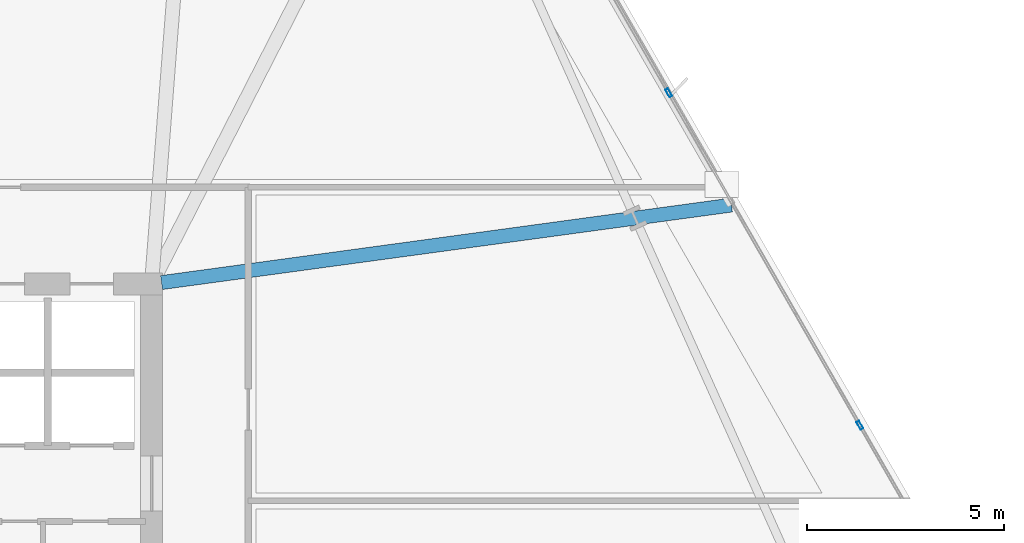
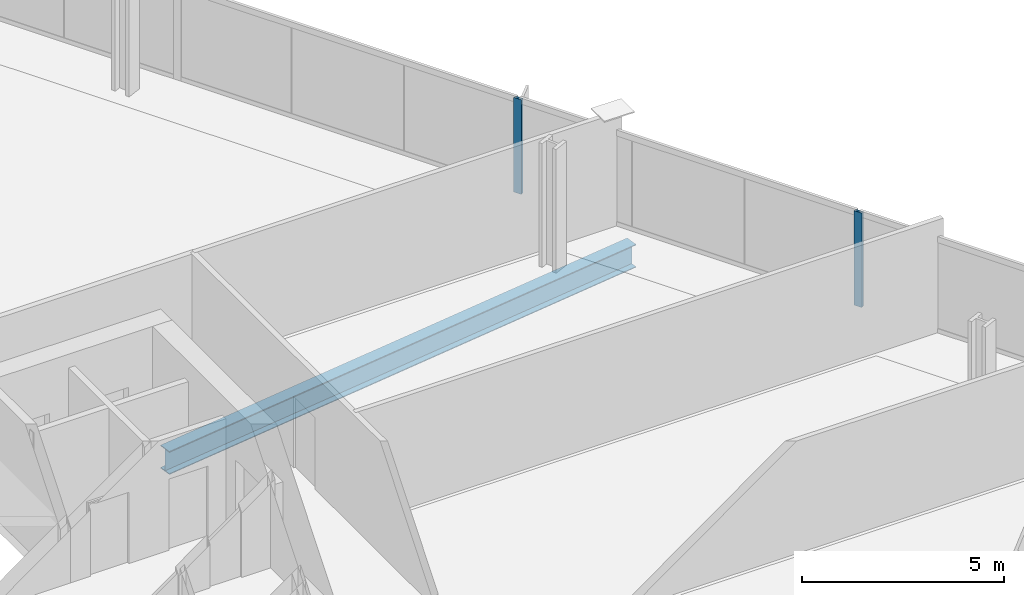
# One storey, part 17 of 33: 2 members, 1 beam, 1 element without a shape of its own.
"""IFC4 building model written with IfcOpenShell, lengths in metres."""

import ifcopenshell
import ifcopenshell.guid

model = None  # the IFC model being written
_history = None  # IfcOwnerHistory: only IFC2X3 demands one
_inside = {}  # id of a spatial element -> (the spatial element, [elements in it])
_under = {}  # id of a project, library or spatial element -> (it, [spatial elements below it])
_declared = {}  # id of a project -> (the project, [libraries it declares])
_typed = {}  # id of a type object -> (the type object, [elements of that type])
_made_of = {}  # id of a material, layer set ... -> (it, [elements and type objects made of it])


def new_model(schema):
    """Start an empty IFC model of exactly this schema.

    Asked for "IFC4X3", IfcOpenShell would pick the latest addendum, in which some entities
    have other attributes; the version numbers below select the first issue.
    IFC2X3 requires an IfcOwnerHistory on every rooted entity: one is made here for all.
    """
    global model, _history
    if schema == "IFC4X3":
        model = ifcopenshell.file(schema_version=(4, 3, 0, 0))
    else:
        model = ifcopenshell.file(schema=schema)
    _inside.clear()
    _under.clear()
    _declared.clear()
    _typed.clear()
    _made_of.clear()
    _history = None
    if model.schema == "IFC2X3":
        org = make("IfcOrganization", Name="unknown")
        user = make(
            "IfcPersonAndOrganization",
            ThePerson=make("IfcPerson", FamilyName="unknown"),
            TheOrganization=org,
        )
        app = make(
            "IfcApplication",
            ApplicationDeveloper=org,
            Version="unknown",
            ApplicationFullName="unknown",
            ApplicationIdentifier="unknown",
        )
        _history = make(
            "IfcOwnerHistory",
            OwningUser=user,
            OwningApplication=app,
            ChangeAction="ADDED",
            CreationDate=0,
        )
    return model


def make(cls, **values):
    """One entity of the class cls with the attributes given. An attribute that is None is left unset."""
    return model.create_entity(
        cls, **{name: value for name, value in values.items() if value is not None}
    )


def rooted(cls, **values):
    """An entity with a GlobalId (a new one), such as an element, a storey or a relation."""
    return make(cls, GlobalId=ifcopenshell.guid.new(), OwnerHistory=_history, **values)


def si_unit(unit_type, name, prefix=None):
    """IfcSIUnit, for example si_unit("LENGTHUNIT", "METRE", prefix="MILLI")."""
    return make("IfcSIUnit", UnitType=unit_type, Prefix=prefix, Name=name)


def assignment(units):
    """IfcUnitAssignment: the units of a project."""
    return None if units is None else make("IfcUnitAssignment", Units=units)


def point(xyz):
    """IfcCartesianPoint."""
    return None if xyz is None else make("IfcCartesianPoint", Coordinates=xyz)


def direction(xyz):
    """IfcDirection."""
    return None if xyz is None else make("IfcDirection", DirectionRatios=xyz)


def frame(location, z_axis=None, x_axis=None):
    """IfcAxis2Placement3D, a coordinate frame: its origin and axes. An axis left out is left unset."""
    return make(
        "IfcAxis2Placement3D",
        Location=point(location),
        Axis=direction(z_axis),
        RefDirection=direction(x_axis),
    )


def frame_2d(location, x_axis=None):
    """IfcAxis2Placement2D, a coordinate frame in the plane: its origin and x axis."""
    return make(
        "IfcAxis2Placement2D", Location=point(location), RefDirection=direction(x_axis)
    )


def origin():
    """The frame at (0, 0, 0) with its axes left unset."""
    return frame((0.0, 0.0, 0.0))


def origin_2d():
    """The frame at (0, 0) in the plane with its x axis left unset."""
    return frame_2d((0.0, 0.0))


def place(relative_to, where):
    """IfcLocalPlacement: puts the frame where relative to a parent placement (None: the world)."""
    return make(
        "IfcLocalPlacement", PlacementRelTo=relative_to, RelativePlacement=where
    )


def context(
    kind, dimensions, precision=None, world=None, true_north=None, identifier=None
):
    """IfcGeometricRepresentationContext, for example the 3D "Model" context."""
    return make(
        "IfcGeometricRepresentationContext",
        ContextIdentifier=identifier,
        ContextType=kind,
        CoordinateSpaceDimension=dimensions,
        Precision=precision,
        WorldCoordinateSystem=world,
        TrueNorth=true_north,
    )


def subcontext(parent, identifier, kind, view, scale=None):
    """IfcGeometricRepresentationSubContext, for example "Body" below "Model"."""
    return make(
        "IfcGeometricRepresentationSubContext",
        ContextIdentifier=identifier,
        ContextType=kind,
        ParentContext=parent,
        TargetScale=scale,
        TargetView=view,
    )


def project(units=None, contexts=None):
    """IfcProject with its units and contexts."""
    return rooted(
        "IfcProject",
        Name="project",
        RepresentationContexts=contexts,
        UnitsInContext=assignment(units),
    )


def spatial(cls, under=None, at=None, **own):
    """A site, building, storey or space (cls), placed at a placement, below another one or the project."""
    s = rooted(cls, ObjectPlacement=at, **own)
    if under is not None:
        _under.setdefault(under.id(), (under, []))[1].append(s)
    return s


def profile(cls, at=None, kind="AREA", **sizes):
    """A parametric profile (cls). Its sizes go by their IFC names, for example OverallWidth=200.0."""
    return make(cls, ProfileType=kind, Position=at, **sizes)


def hollow_rectangle(**sizes):
    """IfcRectangleHollowProfileDef."""
    return profile("IfcRectangleHollowProfileDef", **sizes)


def i_section(**sizes):
    """IfcIShapeProfileDef."""
    return profile("IfcIShapeProfileDef", **sizes)


def extrude(swept, where, along, depth):
    """IfcExtrudedAreaSolid: the profile swept, set in the frame where, extruded along a direction by depth."""
    return make(
        "IfcExtrudedAreaSolid",
        SweptArea=swept,
        Position=where,
        ExtrudedDirection=direction(along),
        Depth=depth,
    )


def shape(context_of_items, identifier, shape_type, items):
    """IfcShapeRepresentation: the items that make up one representation, for example the "Body"."""
    return make(
        "IfcShapeRepresentation",
        ContextOfItems=context_of_items,
        RepresentationIdentifier=identifier,
        RepresentationType=shape_type,
        Items=items,
    )


def material(Name=None, Category=None):
    """IfcMaterial."""
    return make("IfcMaterial", Name=Name, Category=Category)


def material_profile(
    of_material, cross_section, Name=None, Category=None, Priority=None
):
    """IfcMaterialProfile: a cross section and its material."""
    return make(
        "IfcMaterialProfile",
        Name=Name,
        Material=of_material,
        Profile=cross_section,
        Priority=Priority,
        Category=Category,
    )


def profile_set(profiles, Name=None, composite=None):
    """IfcMaterialProfileSet."""
    return make(
        "IfcMaterialProfileSet",
        Name=Name,
        MaterialProfiles=profiles,
        CompositeProfile=composite,
    )


def made_of(thing, what):
    """Note that an element or type object is made of a material, layer set ...; save() writes the relation."""
    if what is not None:
        _made_of.setdefault(what.id(), (what, []))[1].append(thing)
    return thing


def type_object(cls, material=None, **own):
    """A type object (cls), such as IfcWallType, which elements share."""
    return made_of(rooted(cls, **own), material)


def element(
    cls,
    number,
    at=None,
    inside=None,
    cuts=None,
    type_object=None,
    material=None,
    context=None,
    identifier="Body",
    shape_type=None,
    held_by="IfcProductDefinitionShape",
    body=None,
    shapes=None,
    **own,
):
    """One element of the class cls, such as IfcWall. Its Tag is "e" and its number.

    at: its placement. inside: the storey or other place that contains it. cuts: it is an
    opening in that element (IfcRelVoidsElement). A single representation is given by context,
    identifier, shape_type and body (its items); several are given by shapes. held_by: the class
    of the entity that holds the representations. save() writes the other relations.
    """
    e = rooted(cls, Tag="e%d" % number, ObjectPlacement=at, **own)
    if body is not None:
        shapes = [shape(context, identifier, shape_type, body)]
    if shapes is not None:
        e.Representation = make(held_by, Representations=shapes)
    if inside is not None:
        _inside.setdefault(inside.id(), (inside, []))[1].append(e)
    if cuts is not None:
        rooted(
            "IfcRelVoidsElement", RelatingBuildingElement=cuts, RelatedOpeningElement=e
        )
    if type_object is not None:
        _typed.setdefault(type_object.id(), (type_object, []))[1].append(e)
    return made_of(e, material)


def aggregate(whole, parts):
    """IfcRelAggregates: a whole, such as a stair, and the parts it consists of."""
    return rooted("IfcRelAggregates", RelatingObject=whole, RelatedObjects=parts)


def save(model, path):
    """Write the relations noted so far, then the file.

    IfcRelAggregates (storeys below a building ...), IfcRelContainedInSpatialStructure (elements
    in a storey), IfcRelDefinesByType, IfcRelAssociatesMaterial and IfcRelDeclares: one each for
    every whole, place, type object, material and project.
    """
    for whole, parts in _under.values():
        aggregate(whole, parts)
    for where, things in _inside.values():
        rooted(
            "IfcRelContainedInSpatialStructure",
            RelatedElements=things,
            RelatingStructure=where,
        )
    for kind, things in _typed.values():
        rooted("IfcRelDefinesByType", RelatedObjects=things, RelatingType=kind)
    for what, things in _made_of.values():
        rooted("IfcRelAssociatesMaterial", RelatedObjects=things, RelatingMaterial=what)
    for by, libraries in _declared.values():
        rooted("IfcRelDeclares", RelatingContext=by, RelatedDefinitions=libraries)
    model.write(path)


model = new_model("IFC4")

# Units and contexts
model_context = context("Model", 3, precision=1e-05, world=origin(), true_north=direction((0.0, 1.0)))
body_context = subcontext(model_context, "Body", "Model", "MODEL_VIEW")
ifc_project = project(units=[si_unit("LENGTHUNIT", "METRE"), si_unit("AREAUNIT", "SQUARE_METRE"), si_unit("VOLUMEUNIT", "CUBIC_METRE"), si_unit("PLANEANGLEUNIT", "RADIAN"), si_unit("MASSUNIT", "GRAM", prefix="KILO")], contexts=[model_context])

# Site, building, storey
site_placement = place(None, origin())
site = spatial("IfcSite", under=ifc_project, at=site_placement, CompositionType="ELEMENT")
building_placement = place(site_placement, origin())
building = spatial("IfcBuilding", under=site, at=building_placement, Name="Haldenkirk Collegiate Tower", CompositionType="ELEMENT")
storey_placement = place(building_placement, frame((0.0, 0.0, 127.949951171875)))
storey = spatial("IfcBuildingStorey", under=building, at=storey_placement, Name="L31", CompositionType="ELEMENT", Elevation=127.949951171875)

# Beam
ifc_material_1 = material(Name="Steel ASTM A992 Grade 50", Category="steel")
ifc_material_profile_1 = material_profile(ifc_material_1, i_section(OverallWidth=0.35498046875, OverallDepth=0.696044921875, WebThickness=0.015380859375, FlangeThickness=0.02490234375, at=origin_2d()), Name="W27X146")
ifc_profile_set_1 = profile_set([ifc_material_profile_1], Name="Steel ASTM A992 Grade 50")
beam_type = type_object("IfcBeamType", Name="BM-GIRDER-W27X146", PredefinedType="BEAM", material=ifc_profile_set_1)
beam_placement = place(storey_placement, frame((59.69970703125, 35.999755859375, -0.64794921875), z_axis=(-0.990873422663, -0.134795624038, 0.0), x_axis=(0.134795624038, -0.990873422663, 0.0)))
element("IfcBeam", 1, at=beam_placement, inside=storey, type_object=beam_type, Name="L31 primary floor girder 09", PredefinedType="BEAM", context=body_context, shape_type="SweptSolid", body=[
    extrude(i_section(OverallWidth=0.35498046875, OverallDepth=0.696044921875, WebThickness=0.015380859375, FlangeThickness=0.02490234375, at=origin_2d()), origin(), (0.0, 0.0, 1.0), 14.580078125),
])

# Curtain wall, members
ifc_material_2 = material(Name="Anodised architectural bronze aluminium", Category="aluminium")
curtain_wall_type = type_object("IfcCurtainWallType", Name="CW-SYS1-CONVEX-LOW", PredefinedType="USERDEFINED", material=ifc_material_2)
curtain_wall_placement = place(storey_placement, origin())
curtain_wall = element("IfcCurtainWall", 2, at=curtain_wall_placement, inside=storey, type_object=curtain_wall_type, Name="L31 Lower tower convex bronze-framed unitised curtain wall", ObjectType="UNITISED CURTAIN WALL", PredefinedType="USERDEFINED")
ifc_material_profile_2 = material_profile(ifc_material_2, hollow_rectangle(XDim=0.080078125, YDim=0.219970703125, WallThickness=0.0048828125, at=origin_2d()), Name="CW-MUL-1A")
ifc_profile_set_2 = profile_set([ifc_material_profile_2], Name="Anodised architectural bronze aluminium")
member_type = type_object("IfcMemberType", Name="CW-MUL-1A", PredefinedType="MULLION", material=ifc_profile_set_2)
member_1_placement = place(storey_placement, frame((58.110595703125, 38.843994140625, 0.0), z_axis=(0.0, 0.0, 1.0), x_axis=(0.866895687259, 0.498489586061, 0.0)))
member_1 = element("IfcMember", 3, at=member_1_placement, type_object=member_type, Name="CW-1A mullion 3", PredefinedType="MULLION", context=body_context, shape_type="SweptSolid", body=[
    extrude(hollow_rectangle(XDim=0.080078125, YDim=0.219970703125, WallThickness=0.0048828125, at=origin_2d()), origin(), (0.0, 0.0, 1.0), 2.85107421875),
])
member_2_placement = place(storey_placement, frame((62.955078125, 30.418701171875, 0.0), z_axis=(0.0, 0.0, 1.0), x_axis=(0.866895687259, 0.498489586061, 0.0)))
member_2 = element("IfcMember", 4, at=member_2_placement, type_object=member_type, Name="CW-1A mullion 4", PredefinedType="MULLION", context=body_context, shape_type="SweptSolid", body=[
    extrude(hollow_rectangle(XDim=0.080078125, YDim=0.219970703125, WallThickness=0.0048828125, at=origin_2d()), origin(), (0.0, 0.0, 1.0), 2.85107421875),
])
aggregate(curtain_wall, [member_1, member_2])

save(model, "model.ifc")
